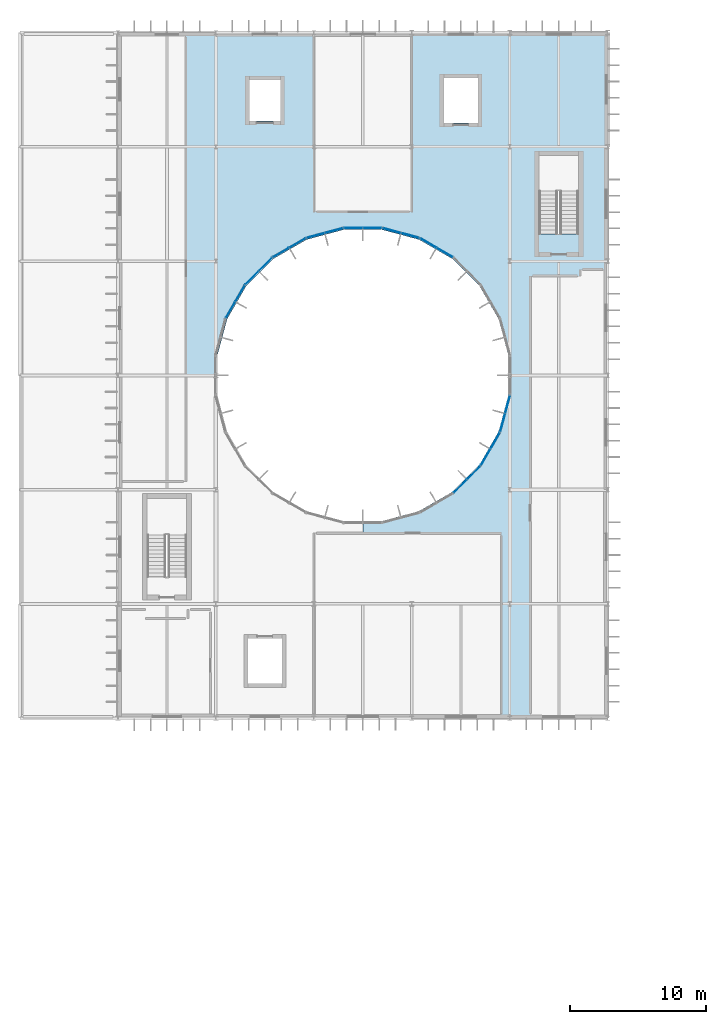
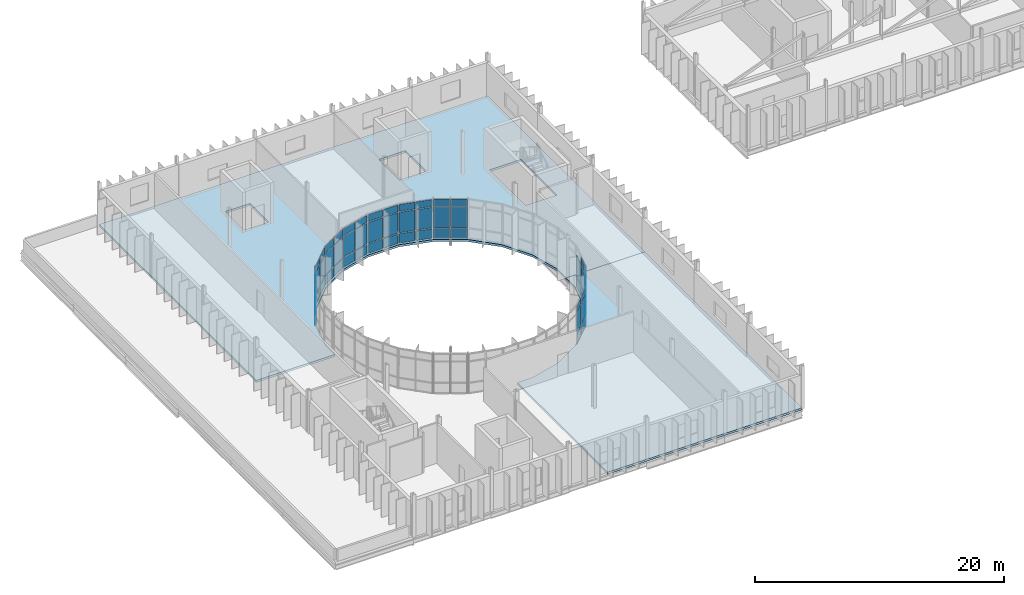
# One storey, part 29 of 52: 59 plates, 2 slabs, 10 elements without a shape of their own.
"""IFC4 building model written with IfcOpenShell, lengths in metres."""

from ifc_helpers import new_model, si_unit, direction, frame, origin, origin_2d, place, context, subcontext, project, spatial, polyline, rectangle, outline, extrude, material, layer, layer_set, type_object, element, aggregate, save


model = new_model("IFC4")

# Units and contexts
model_context = context("Model", 3, precision=1e-05, world=origin(), true_north=direction((0.0, 1.0)))
body_context = subcontext(model_context, "Body", "Model", "MODEL_VIEW")
ifc_project = project(units=[si_unit("LENGTHUNIT", "METRE"), si_unit("AREAUNIT", "SQUARE_METRE"), si_unit("VOLUMEUNIT", "CUBIC_METRE"), si_unit("PLANEANGLEUNIT", "RADIAN"), si_unit("MASSUNIT", "GRAM", prefix="KILO")], contexts=[model_context])

# Site, building, storey
site_placement = place(None, origin())
site = spatial("IfcSite", under=ifc_project, at=site_placement, CompositionType="ELEMENT")
building_placement = place(site_placement, origin())
building = spatial("IfcBuilding", under=site, at=building_placement, Name="Qelthora Terrace Specialist Clinic", CompositionType="ELEMENT")
storey_placement = place(building_placement, frame((0.0, 0.0, 17.39990234375)))
storey = spatial("IfcBuildingStorey", under=building, at=storey_placement, Name="L04", CompositionType="ELEMENT", Elevation=17.39990234375)

# Curtain wall, plates
ifc_material_1 = material(Name="Aluminium anodized bronze", Category="aluminium")
curtain_wall_type = type_object("IfcCurtainWallType", Name="CW-CRTW-UPP", PredefinedType="NOTDEFINED", material=ifc_material_1)
curtain_wall_1_placement = place(storey_placement, origin())
curtain_wall_1 = element("IfcCurtainWall", 1, at=curtain_wall_1_placement, inside=storey, type_object=curtain_wall_type, Name="Curtain wall CW-CW-L04-04", PredefinedType="NOTDEFINED")
ifc_material_2 = material(Name="Low-E triple-silver insulating glass", Category="glass")
ifc_layer_1 = layer(ifc_material_2, 0.035888671875)
ifc_layer_set_1 = layer_set([ifc_layer_1], Name="Low-E triple-silver insulating glass")
plate_type = type_object("IfcPlateType", Name="CWP-IGU-36", PredefinedType="CURTAIN_PANEL", material=ifc_layer_set_1)
plate_1_placement = place(storey_placement, frame((31.22412109375, 93.024658203125, 0.085205078125), z_axis=(0.0, 0.0, 1.0), x_axis=(-0.866025403784, 0.5, 0.0)))
plate_1 = element("IfcPlate", 2, at=plate_1_placement, type_object=plate_type, Name="CW-CW-L04-04 glazed panel 1", PredefinedType="CURTAIN_PANEL", context=body_context, shape_type="SweptSolid", body=[
    extrude(rectangle(XDim=1.3095703125, YDim=0.035888671875, at=origin_2d()), origin(), (0.0, 0.0, 1.0), 0.919921875),
])
plate_2_placement = place(storey_placement, frame((31.22412109375, 93.024658203125, 1.09521484375), z_axis=(0.0, 0.0, 1.0), x_axis=(-0.866025403784, 0.5, 0.0)))
plate_2 = element("IfcPlate", 3, at=plate_2_placement, type_object=plate_type, Name="CW-CW-L04-04 glazed panel 2", PredefinedType="CURTAIN_PANEL", context=body_context, shape_type="SweptSolid", body=[
    extrude(rectangle(XDim=1.3095703125, YDim=0.035888671875, at=origin_2d()), origin(), (0.0, 0.0, 1.0), 2.0048828125),
])
plate_3_placement = place(storey_placement, frame((31.22412109375, 93.024658203125, 3.190185546875), z_axis=(0.0, 0.0, 1.0), x_axis=(-0.866025403784, 0.5, 0.0)))
plate_3 = element("IfcPlate", 4, at=plate_3_placement, type_object=plate_type, Name="CW-CW-L04-04 glazed panel 3", PredefinedType="CURTAIN_PANEL", context=body_context, shape_type="SweptSolid", body=[
    extrude(rectangle(XDim=1.3095703125, YDim=0.035888671875, at=origin_2d()), origin(), (0.0, 0.0, 1.0), 0.669921875),
])
plate_4_placement = place(storey_placement, frame((30.00341796875, 93.7294921875, 0.085205078125), z_axis=(0.0, 0.0, 1.0), x_axis=(-0.866025403784, 0.5, 0.0)))
plate_4 = element("IfcPlate", 5, at=plate_4_placement, type_object=plate_type, Name="CW-CW-L04-04 glazed panel 4", PredefinedType="CURTAIN_PANEL", context=body_context, shape_type="SweptSolid", body=[
    extrude(rectangle(XDim=1.3095703125, YDim=0.035888671875, at=origin_2d()), origin(), (0.0, 0.0, 1.0), 0.919921875),
])
plate_5_placement = place(storey_placement, frame((30.00341796875, 93.7294921875, 1.09521484375), z_axis=(0.0, 0.0, 1.0), x_axis=(-0.866025403784, 0.5, 0.0)))
plate_5 = element("IfcPlate", 6, at=plate_5_placement, type_object=plate_type, Name="CW-CW-L04-04 glazed panel 5", PredefinedType="CURTAIN_PANEL", context=body_context, shape_type="SweptSolid", body=[
    extrude(rectangle(XDim=1.3095703125, YDim=0.035888671875, at=origin_2d()), origin(), (0.0, 0.0, 1.0), 2.0048828125),
])
plate_6_placement = place(storey_placement, frame((30.00341796875, 93.7294921875, 3.190185546875), z_axis=(0.0, 0.0, 1.0), x_axis=(-0.866025403784, 0.5, 0.0)))
plate_6 = element("IfcPlate", 7, at=plate_6_placement, type_object=plate_type, Name="CW-CW-L04-04 glazed panel 6", PredefinedType="CURTAIN_PANEL", context=body_context, shape_type="SweptSolid", body=[
    extrude(rectangle(XDim=1.3095703125, YDim=0.035888671875, at=origin_2d()), origin(), (0.0, 0.0, 1.0), 0.669921875),
])
aggregate(curtain_wall_1, [plate_1, plate_2, plate_3, plate_4, plate_5, plate_6])

curtain_wall_2_placement = place(storey_placement, origin())
curtain_wall_2 = element("IfcCurtainWall", 8, at=curtain_wall_2_placement, inside=storey, type_object=curtain_wall_type, Name="Curtain wall CW-CW-L04-05", PredefinedType="NOTDEFINED")
plate_7_placement = place(storey_placement, frame((28.68310546875, 94.276123046875, 0.085205078125), z_axis=(0.0, 0.0, 1.0), x_axis=(-0.965925374563, 0.258820730961, 0.0)))
plate_7 = element("IfcPlate", 9, at=plate_7_placement, type_object=plate_type, Name="CW-CW-L04-05 glazed panel 1", PredefinedType="CURTAIN_PANEL", context=body_context, shape_type="SweptSolid", body=[
    extrude(rectangle(XDim=1.3095703125, YDim=0.035888671875, at=origin_2d()), origin(), (0.0, 0.0, 1.0), 0.919921875),
])
plate_8_placement = place(storey_placement, frame((28.68310546875, 94.276123046875, 1.09521484375), z_axis=(0.0, 0.0, 1.0), x_axis=(-0.965925374563, 0.258820730961, 0.0)))
plate_8 = element("IfcPlate", 10, at=plate_8_placement, type_object=plate_type, Name="CW-CW-L04-05 glazed panel 2", PredefinedType="CURTAIN_PANEL", context=body_context, shape_type="SweptSolid", body=[
    extrude(rectangle(XDim=1.3095703125, YDim=0.035888671875, at=origin_2d()), origin(), (0.0, 0.0, 1.0), 2.0048828125),
])
plate_9_placement = place(storey_placement, frame((28.68310546875, 94.276123046875, 3.190185546875), z_axis=(0.0, 0.0, 1.0), x_axis=(-0.965925374563, 0.258820730961, 0.0)))
plate_9 = element("IfcPlate", 11, at=plate_9_placement, type_object=plate_type, Name="CW-CW-L04-05 glazed panel 3", PredefinedType="CURTAIN_PANEL", context=body_context, shape_type="SweptSolid", body=[
    extrude(rectangle(XDim=1.3095703125, YDim=0.035888671875, at=origin_2d()), origin(), (0.0, 0.0, 1.0), 0.669921875),
])
plate_10_placement = place(storey_placement, frame((27.321533203125, 94.64111328125, 0.085205078125), z_axis=(0.0, 0.0, 1.0), x_axis=(-0.965925374563, 0.258820730961, 0.0)))
plate_10 = element("IfcPlate", 12, at=plate_10_placement, type_object=plate_type, Name="CW-CW-L04-05 glazed panel 4", PredefinedType="CURTAIN_PANEL", context=body_context, shape_type="SweptSolid", body=[
    extrude(rectangle(XDim=1.3095703125, YDim=0.035888671875, at=origin_2d()), origin(), (0.0, 0.0, 1.0), 0.919921875),
])
plate_11_placement = place(storey_placement, frame((27.321533203125, 94.64111328125, 1.09521484375), z_axis=(0.0, 0.0, 1.0), x_axis=(-0.965925374563, 0.258820730961, 0.0)))
plate_11 = element("IfcPlate", 13, at=plate_11_placement, type_object=plate_type, Name="CW-CW-L04-05 glazed panel 5", PredefinedType="CURTAIN_PANEL", context=body_context, shape_type="SweptSolid", body=[
    extrude(rectangle(XDim=1.3095703125, YDim=0.035888671875, at=origin_2d()), origin(), (0.0, 0.0, 1.0), 2.0048828125),
])
plate_12_placement = place(storey_placement, frame((27.321533203125, 94.64111328125, 3.190185546875), z_axis=(0.0, 0.0, 1.0), x_axis=(-0.965925374563, 0.258820730961, 0.0)))
plate_12 = element("IfcPlate", 14, at=plate_12_placement, type_object=plate_type, Name="CW-CW-L04-05 glazed panel 6", PredefinedType="CURTAIN_PANEL", context=body_context, shape_type="SweptSolid", body=[
    extrude(rectangle(XDim=1.3095703125, YDim=0.035888671875, at=origin_2d()), origin(), (0.0, 0.0, 1.0), 0.669921875),
])
aggregate(curtain_wall_2, [plate_7, plate_8, plate_9, plate_10, plate_11, plate_12])

curtain_wall_3_placement = place(storey_placement, origin())
curtain_wall_3 = element("IfcCurtainWall", 15, at=curtain_wall_3_placement, inside=storey, type_object=curtain_wall_type, Name="Curtain wall CW-CW-L04-06", PredefinedType="NOTDEFINED")
plate_13_placement = place(storey_placement, frame((25.90478515625, 94.82763671875, 0.085205078125), z_axis=(0.0, 0.0, 1.0), x_axis=(-1.0, 0.0, 0.0)))
plate_13 = element("IfcPlate", 16, at=plate_13_placement, type_object=plate_type, Name="CW-CW-L04-06 glazed panel 1", PredefinedType="CURTAIN_PANEL", context=body_context, shape_type="SweptSolid", body=[
    extrude(rectangle(XDim=1.3095703125, YDim=0.035888671875, at=origin_2d()), origin(), (0.0, 0.0, 1.0), 0.919921875),
])
plate_14_placement = place(storey_placement, frame((25.90478515625, 94.82763671875, 1.09521484375), z_axis=(0.0, 0.0, 1.0), x_axis=(-1.0, 0.0, 0.0)))
plate_14 = element("IfcPlate", 17, at=plate_14_placement, type_object=plate_type, Name="CW-CW-L04-06 glazed panel 2", PredefinedType="CURTAIN_PANEL", context=body_context, shape_type="SweptSolid", body=[
    extrude(rectangle(XDim=1.3095703125, YDim=0.035888671875, at=origin_2d()), origin(), (0.0, 0.0, 1.0), 2.0048828125),
])
plate_15_placement = place(storey_placement, frame((25.90478515625, 94.82763671875, 3.190185546875), z_axis=(0.0, 0.0, 1.0), x_axis=(-1.0, 0.0, 0.0)))
plate_15 = element("IfcPlate", 18, at=plate_15_placement, type_object=plate_type, Name="CW-CW-L04-06 glazed panel 3", PredefinedType="CURTAIN_PANEL", context=body_context, shape_type="SweptSolid", body=[
    extrude(rectangle(XDim=1.3095703125, YDim=0.035888671875, at=origin_2d()), origin(), (0.0, 0.0, 1.0), 0.669921875),
])
plate_16_placement = place(storey_placement, frame((24.4951171875, 94.82763671875, 0.085205078125), z_axis=(0.0, 0.0, 1.0), x_axis=(-1.0, 0.0, 0.0)))
plate_16 = element("IfcPlate", 19, at=plate_16_placement, type_object=plate_type, Name="CW-CW-L04-06 glazed panel 4", PredefinedType="CURTAIN_PANEL", context=body_context, shape_type="SweptSolid", body=[
    extrude(rectangle(XDim=1.3095703125, YDim=0.035888671875, at=origin_2d()), origin(), (0.0, 0.0, 1.0), 0.919921875),
])
plate_17_placement = place(storey_placement, frame((24.4951171875, 94.82763671875, 1.09521484375), z_axis=(0.0, 0.0, 1.0), x_axis=(-1.0, 0.0, 0.0)))
plate_17 = element("IfcPlate", 20, at=plate_17_placement, type_object=plate_type, Name="CW-CW-L04-06 glazed panel 5", PredefinedType="CURTAIN_PANEL", context=body_context, shape_type="SweptSolid", body=[
    extrude(rectangle(XDim=1.3095703125, YDim=0.035888671875, at=origin_2d()), origin(), (0.0, 0.0, 1.0), 2.0048828125),
])
plate_18_placement = place(storey_placement, frame((24.4951171875, 94.82763671875, 3.190185546875), z_axis=(0.0, 0.0, 1.0), x_axis=(-1.0, 0.0, 0.0)))
plate_18 = element("IfcPlate", 21, at=plate_18_placement, type_object=plate_type, Name="CW-CW-L04-06 glazed panel 6", PredefinedType="CURTAIN_PANEL", context=body_context, shape_type="SweptSolid", body=[
    extrude(rectangle(XDim=1.3095703125, YDim=0.035888671875, at=origin_2d()), origin(), (0.0, 0.0, 1.0), 0.669921875),
])
aggregate(curtain_wall_3, [plate_13, plate_14, plate_15, plate_16, plate_17, plate_18])

curtain_wall_4_placement = place(storey_placement, origin())
curtain_wall_4 = element("IfcCurtainWall", 22, at=curtain_wall_4_placement, inside=storey, type_object=curtain_wall_type, Name="Curtain wall CW-CW-L04-07", PredefinedType="NOTDEFINED")
plate_19_placement = place(storey_placement, frame((23.078369140625, 94.64111328125, 0.085205078125), z_axis=(0.0, 0.0, 1.0), x_axis=(-0.965925374563, -0.258820730961, 0.0)))
plate_19 = element("IfcPlate", 23, at=plate_19_placement, type_object=plate_type, Name="CW-CW-L04-07 glazed panel 1", PredefinedType="CURTAIN_PANEL", context=body_context, shape_type="SweptSolid", body=[
    extrude(rectangle(XDim=1.3095703125, YDim=0.035888671875, at=origin_2d()), origin(), (0.0, 0.0, 1.0), 0.919921875),
])
plate_20_placement = place(storey_placement, frame((23.078369140625, 94.64111328125, 1.09521484375), z_axis=(0.0, 0.0, 1.0), x_axis=(-0.965925374563, -0.258820730961, 0.0)))
plate_20 = element("IfcPlate", 24, at=plate_20_placement, type_object=plate_type, Name="CW-CW-L04-07 glazed panel 2", PredefinedType="CURTAIN_PANEL", context=body_context, shape_type="SweptSolid", body=[
    extrude(rectangle(XDim=1.3095703125, YDim=0.035888671875, at=origin_2d()), origin(), (0.0, 0.0, 1.0), 2.0048828125),
])
plate_21_placement = place(storey_placement, frame((23.078369140625, 94.64111328125, 3.190185546875), z_axis=(0.0, 0.0, 1.0), x_axis=(-0.965925374563, -0.258820730961, 0.0)))
plate_21 = element("IfcPlate", 25, at=plate_21_placement, type_object=plate_type, Name="CW-CW-L04-07 glazed panel 3", PredefinedType="CURTAIN_PANEL", context=body_context, shape_type="SweptSolid", body=[
    extrude(rectangle(XDim=1.3095703125, YDim=0.035888671875, at=origin_2d()), origin(), (0.0, 0.0, 1.0), 0.669921875),
])
plate_22_placement = place(storey_placement, frame((21.716796875, 94.276123046875, 0.085205078125), z_axis=(0.0, 0.0, 1.0), x_axis=(-0.965925374563, -0.258820730961, 0.0)))
plate_22 = element("IfcPlate", 26, at=plate_22_placement, type_object=plate_type, Name="CW-CW-L04-07 glazed panel 4", PredefinedType="CURTAIN_PANEL", context=body_context, shape_type="SweptSolid", body=[
    extrude(rectangle(XDim=1.3095703125, YDim=0.035888671875, at=origin_2d()), origin(), (0.0, 0.0, 1.0), 0.919921875),
])
plate_23_placement = place(storey_placement, frame((21.716796875, 94.276123046875, 1.09521484375), z_axis=(0.0, 0.0, 1.0), x_axis=(-0.965925374563, -0.258820730961, 0.0)))
plate_23 = element("IfcPlate", 27, at=plate_23_placement, type_object=plate_type, Name="CW-CW-L04-07 glazed panel 5", PredefinedType="CURTAIN_PANEL", context=body_context, shape_type="SweptSolid", body=[
    extrude(rectangle(XDim=1.3095703125, YDim=0.035888671875, at=origin_2d()), origin(), (0.0, 0.0, 1.0), 2.0048828125),
])
plate_24_placement = place(storey_placement, frame((21.716796875, 94.276123046875, 3.190185546875), z_axis=(0.0, 0.0, 1.0), x_axis=(-0.965925374563, -0.258820730961, 0.0)))
plate_24 = element("IfcPlate", 28, at=plate_24_placement, type_object=plate_type, Name="CW-CW-L04-07 glazed panel 6", PredefinedType="CURTAIN_PANEL", context=body_context, shape_type="SweptSolid", body=[
    extrude(rectangle(XDim=1.3095703125, YDim=0.035888671875, at=origin_2d()), origin(), (0.0, 0.0, 1.0), 0.669921875),
])
aggregate(curtain_wall_4, [plate_19, plate_20, plate_21, plate_22, plate_23, plate_24])

curtain_wall_5_placement = place(storey_placement, origin())
curtain_wall_5 = element("IfcCurtainWall", 29, at=curtain_wall_5_placement, inside=storey, type_object=curtain_wall_type, Name="Curtain wall CW-CW-L04-08", PredefinedType="NOTDEFINED")
plate_25_placement = place(storey_placement, frame((20.396728515625, 93.7294921875, 0.085205078125), z_axis=(0.0, 0.0, 1.0), x_axis=(-0.866025403784, -0.5, 0.0)))
plate_25 = element("IfcPlate", 30, at=plate_25_placement, type_object=plate_type, Name="CW-CW-L04-08 glazed panel 1", PredefinedType="CURTAIN_PANEL", context=body_context, shape_type="SweptSolid", body=[
    extrude(rectangle(XDim=1.3095703125, YDim=0.035888671875, at=origin_2d()), origin(), (0.0, 0.0, 1.0), 0.919921875),
])
plate_26_placement = place(storey_placement, frame((20.396728515625, 93.7294921875, 1.09521484375), z_axis=(0.0, 0.0, 1.0), x_axis=(-0.866025403784, -0.5, 0.0)))
plate_26 = element("IfcPlate", 31, at=plate_26_placement, type_object=plate_type, Name="CW-CW-L04-08 glazed panel 2", PredefinedType="CURTAIN_PANEL", context=body_context, shape_type="SweptSolid", body=[
    extrude(rectangle(XDim=1.3095703125, YDim=0.035888671875, at=origin_2d()), origin(), (0.0, 0.0, 1.0), 2.0048828125),
])
plate_27_placement = place(storey_placement, frame((20.396728515625, 93.7294921875, 3.190185546875), z_axis=(0.0, 0.0, 1.0), x_axis=(-0.866025403784, -0.5, 0.0)))
plate_27 = element("IfcPlate", 32, at=plate_27_placement, type_object=plate_type, Name="CW-CW-L04-08 glazed panel 3", PredefinedType="CURTAIN_PANEL", context=body_context, shape_type="SweptSolid", body=[
    extrude(rectangle(XDim=1.3095703125, YDim=0.035888671875, at=origin_2d()), origin(), (0.0, 0.0, 1.0), 0.669921875),
])
plate_28_placement = place(storey_placement, frame((19.17578125, 93.024658203125, 0.085205078125), z_axis=(0.0, 0.0, 1.0), x_axis=(-0.866025403784, -0.5, 0.0)))
plate_28 = element("IfcPlate", 33, at=plate_28_placement, type_object=plate_type, Name="CW-CW-L04-08 glazed panel 4", PredefinedType="CURTAIN_PANEL", context=body_context, shape_type="SweptSolid", body=[
    extrude(rectangle(XDim=1.3095703125, YDim=0.035888671875, at=origin_2d()), origin(), (0.0, 0.0, 1.0), 0.919921875),
])
plate_29_placement = place(storey_placement, frame((19.17578125, 93.024658203125, 1.09521484375), z_axis=(0.0, 0.0, 1.0), x_axis=(-0.866025403784, -0.5, 0.0)))
plate_29 = element("IfcPlate", 34, at=plate_29_placement, type_object=plate_type, Name="CW-CW-L04-08 glazed panel 5", PredefinedType="CURTAIN_PANEL", context=body_context, shape_type="SweptSolid", body=[
    extrude(rectangle(XDim=1.3095703125, YDim=0.035888671875, at=origin_2d()), origin(), (0.0, 0.0, 1.0), 2.0048828125),
])
plate_30_placement = place(storey_placement, frame((19.17578125, 93.024658203125, 3.190185546875), z_axis=(0.0, 0.0, 1.0), x_axis=(-0.866025403784, -0.5, 0.0)))
plate_30 = element("IfcPlate", 35, at=plate_30_placement, type_object=plate_type, Name="CW-CW-L04-08 glazed panel 6", PredefinedType="CURTAIN_PANEL", context=body_context, shape_type="SweptSolid", body=[
    extrude(rectangle(XDim=1.3095703125, YDim=0.035888671875, at=origin_2d()), origin(), (0.0, 0.0, 1.0), 0.669921875),
])
aggregate(curtain_wall_5, [plate_25, plate_26, plate_27, plate_28, plate_29, plate_30])

curtain_wall_6_placement = place(storey_placement, origin())
curtain_wall_6 = element("IfcCurtainWall", 36, at=curtain_wall_6_placement, inside=storey, type_object=curtain_wall_type, Name="Curtain wall CW-CW-L04-09", PredefinedType="NOTDEFINED")
plate_31_placement = place(storey_placement, frame((18.042236328125, 92.15478515625, 0.085205078125), z_axis=(0.0, 0.0, 1.0), x_axis=(-0.707106781187, -0.707106781187, 0.0)))
plate_31 = element("IfcPlate", 37, at=plate_31_placement, type_object=plate_type, Name="CW-CW-L04-09 glazed panel 1", PredefinedType="CURTAIN_PANEL", context=body_context, shape_type="SweptSolid", body=[
    extrude(rectangle(XDim=1.3095703125, YDim=0.035888671875, at=origin_2d()), origin(), (0.0, 0.0, 1.0), 0.919921875),
])
plate_32_placement = place(storey_placement, frame((18.042236328125, 92.15478515625, 1.09521484375), z_axis=(0.0, 0.0, 1.0), x_axis=(-0.707106781187, -0.707106781187, 0.0)))
plate_32 = element("IfcPlate", 38, at=plate_32_placement, type_object=plate_type, Name="CW-CW-L04-09 glazed panel 2", PredefinedType="CURTAIN_PANEL", context=body_context, shape_type="SweptSolid", body=[
    extrude(rectangle(XDim=1.3095703125, YDim=0.035888671875, at=origin_2d()), origin(), (0.0, 0.0, 1.0), 2.0048828125),
])
plate_33_placement = place(storey_placement, frame((18.042236328125, 92.15478515625, 3.190185546875), z_axis=(0.0, 0.0, 1.0), x_axis=(-0.707106781187, -0.707106781187, 0.0)))
plate_33 = element("IfcPlate", 39, at=plate_33_placement, type_object=plate_type, Name="CW-CW-L04-09 glazed panel 3", PredefinedType="CURTAIN_PANEL", context=body_context, shape_type="SweptSolid", body=[
    extrude(rectangle(XDim=1.3095703125, YDim=0.035888671875, at=origin_2d()), origin(), (0.0, 0.0, 1.0), 0.669921875),
])
plate_34_placement = place(storey_placement, frame((17.04541015625, 91.157958984375, 0.085205078125), z_axis=(0.0, 0.0, 1.0), x_axis=(-0.707106781187, -0.707106781187, 0.0)))
plate_34 = element("IfcPlate", 40, at=plate_34_placement, type_object=plate_type, Name="CW-CW-L04-09 glazed panel 4", PredefinedType="CURTAIN_PANEL", context=body_context, shape_type="SweptSolid", body=[
    extrude(rectangle(XDim=1.3095703125, YDim=0.035888671875, at=origin_2d()), origin(), (0.0, 0.0, 1.0), 0.919921875),
])
plate_35_placement = place(storey_placement, frame((17.04541015625, 91.157958984375, 1.09521484375), z_axis=(0.0, 0.0, 1.0), x_axis=(-0.707106781187, -0.707106781187, 0.0)))
plate_35 = element("IfcPlate", 41, at=plate_35_placement, type_object=plate_type, Name="CW-CW-L04-09 glazed panel 5", PredefinedType="CURTAIN_PANEL", context=body_context, shape_type="SweptSolid", body=[
    extrude(rectangle(XDim=1.3095703125, YDim=0.035888671875, at=origin_2d()), origin(), (0.0, 0.0, 1.0), 2.0048828125),
])
plate_36_placement = place(storey_placement, frame((17.04541015625, 91.157958984375, 3.190185546875), z_axis=(0.0, 0.0, 1.0), x_axis=(-0.707106781187, -0.707106781187, 0.0)))
plate_36 = element("IfcPlate", 42, at=plate_36_placement, type_object=plate_type, Name="CW-CW-L04-09 glazed panel 6", PredefinedType="CURTAIN_PANEL", context=body_context, shape_type="SweptSolid", body=[
    extrude(rectangle(XDim=1.3095703125, YDim=0.035888671875, at=origin_2d()), origin(), (0.0, 0.0, 1.0), 0.669921875),
])
aggregate(curtain_wall_6, [plate_31, plate_32, plate_33, plate_34, plate_35, plate_36])

curtain_wall_7_placement = place(storey_placement, origin())
curtain_wall_7 = element("IfcCurtainWall", 43, at=curtain_wall_7_placement, inside=storey, type_object=curtain_wall_type, Name="Curtain wall CW-CW-L04-10", PredefinedType="NOTDEFINED")
plate_37_placement = place(storey_placement, frame((16.175537109375, 90.024169921875, 0.085205078125), z_axis=(0.0, 0.0, 1.0), x_axis=(-0.5, -0.866025403784, 0.0)))
plate_37 = element("IfcPlate", 44, at=plate_37_placement, type_object=plate_type, Name="CW-CW-L04-10 glazed panel 1", PredefinedType="CURTAIN_PANEL", context=body_context, shape_type="SweptSolid", body=[
    extrude(rectangle(XDim=1.3095703125, YDim=0.035888671875, at=origin_2d()), origin(), (0.0, 0.0, 1.0), 0.919921875),
])
plate_38_placement = place(storey_placement, frame((16.175537109375, 90.024169921875, 1.09521484375), z_axis=(0.0, 0.0, 1.0), x_axis=(-0.5, -0.866025403784, 0.0)))
plate_38 = element("IfcPlate", 45, at=plate_38_placement, type_object=plate_type, Name="CW-CW-L04-10 glazed panel 2", PredefinedType="CURTAIN_PANEL", context=body_context, shape_type="SweptSolid", body=[
    extrude(rectangle(XDim=1.3095703125, YDim=0.035888671875, at=origin_2d()), origin(), (0.0, 0.0, 1.0), 2.0048828125),
])
plate_39_placement = place(storey_placement, frame((16.175537109375, 90.024169921875, 3.190185546875), z_axis=(0.0, 0.0, 1.0), x_axis=(-0.5, -0.866025403784, 0.0)))
plate_39 = element("IfcPlate", 46, at=plate_39_placement, type_object=plate_type, Name="CW-CW-L04-10 glazed panel 3", PredefinedType="CURTAIN_PANEL", context=body_context, shape_type="SweptSolid", body=[
    extrude(rectangle(XDim=1.3095703125, YDim=0.035888671875, at=origin_2d()), origin(), (0.0, 0.0, 1.0), 0.669921875),
])
plate_40_placement = place(storey_placement, frame((15.470703125, 88.803466796875, 0.085205078125), z_axis=(0.0, 0.0, 1.0), x_axis=(-0.5, -0.866025403784, 0.0)))
plate_40 = element("IfcPlate", 47, at=plate_40_placement, type_object=plate_type, Name="CW-CW-L04-10 glazed panel 4", PredefinedType="CURTAIN_PANEL", context=body_context, shape_type="SweptSolid", body=[
    extrude(rectangle(XDim=1.3095703125, YDim=0.035888671875, at=origin_2d()), origin(), (0.0, 0.0, 1.0), 0.919921875),
])
plate_41_placement = place(storey_placement, frame((15.470703125, 88.803466796875, 1.09521484375), z_axis=(0.0, 0.0, 1.0), x_axis=(-0.5, -0.866025403784, 0.0)))
plate_41 = element("IfcPlate", 48, at=plate_41_placement, type_object=plate_type, Name="CW-CW-L04-10 glazed panel 5", PredefinedType="CURTAIN_PANEL", context=body_context, shape_type="SweptSolid", body=[
    extrude(rectangle(XDim=1.3095703125, YDim=0.035888671875, at=origin_2d()), origin(), (0.0, 0.0, 1.0), 2.0048828125),
])
plate_42_placement = place(storey_placement, frame((15.470703125, 88.803466796875, 3.190185546875), z_axis=(0.0, 0.0, 1.0), x_axis=(-0.5, -0.866025403784, 0.0)))
plate_42 = element("IfcPlate", 49, at=plate_42_placement, type_object=plate_type, Name="CW-CW-L04-10 glazed panel 6", PredefinedType="CURTAIN_PANEL", context=body_context, shape_type="SweptSolid", body=[
    extrude(rectangle(XDim=1.3095703125, YDim=0.035888671875, at=origin_2d()), origin(), (0.0, 0.0, 1.0), 0.669921875),
])
aggregate(curtain_wall_7, [plate_37, plate_38, plate_39, plate_40, plate_41, plate_42])

curtain_wall_8_placement = place(storey_placement, origin())
curtain_wall_8 = element("IfcCurtainWall", 50, at=curtain_wall_8_placement, inside=storey, type_object=curtain_wall_type, Name="Curtain wall CW-CW-L04-21", PredefinedType="NOTDEFINED")
plate_43_placement = place(storey_placement, frame((32.35791015625, 75.84521484375, 0.085205078125), z_axis=(0.0, 0.0, 1.0), x_axis=(0.707106781187, 0.707106781187, 0.0)))
plate_43 = element("IfcPlate", 51, at=plate_43_placement, type_object=plate_type, Name="CW-CW-L04-21 glazed panel 1", PredefinedType="CURTAIN_PANEL", context=body_context, shape_type="SweptSolid", body=[
    extrude(rectangle(XDim=1.3095703125, YDim=0.035888671875, at=origin_2d()), origin(), (0.0, 0.0, 1.0), 0.919921875),
])
plate_44_placement = place(storey_placement, frame((32.35791015625, 75.84521484375, 1.09521484375), z_axis=(0.0, 0.0, 1.0), x_axis=(0.707106781187, 0.707106781187, 0.0)))
plate_44 = element("IfcPlate", 52, at=plate_44_placement, type_object=plate_type, Name="CW-CW-L04-21 glazed panel 2", PredefinedType="CURTAIN_PANEL", context=body_context, shape_type="SweptSolid", body=[
    extrude(rectangle(XDim=1.3095703125, YDim=0.035888671875, at=origin_2d()), origin(), (0.0, 0.0, 1.0), 2.0048828125),
])
plate_45_placement = place(storey_placement, frame((32.35791015625, 75.84521484375, 3.190185546875), z_axis=(0.0, 0.0, 1.0), x_axis=(0.707106781187, 0.707106781187, 0.0)))
plate_45 = element("IfcPlate", 53, at=plate_45_placement, type_object=plate_type, Name="CW-CW-L04-21 glazed panel 3", PredefinedType="CURTAIN_PANEL", context=body_context, shape_type="SweptSolid", body=[
    extrude(rectangle(XDim=1.3095703125, YDim=0.035888671875, at=origin_2d()), origin(), (0.0, 0.0, 1.0), 0.669921875),
])
plate_46_placement = place(storey_placement, frame((33.354736328125, 76.842041015625, 0.085205078125), z_axis=(0.0, 0.0, 1.0), x_axis=(0.707106781187, 0.707106781187, 0.0)))
plate_46 = element("IfcPlate", 54, at=plate_46_placement, type_object=plate_type, Name="CW-CW-L04-21 glazed panel 4", PredefinedType="CURTAIN_PANEL", context=body_context, shape_type="SweptSolid", body=[
    extrude(rectangle(XDim=1.3095703125, YDim=0.035888671875, at=origin_2d()), origin(), (0.0, 0.0, 1.0), 0.919921875),
])
plate_47_placement = place(storey_placement, frame((33.354736328125, 76.842041015625, 1.09521484375), z_axis=(0.0, 0.0, 1.0), x_axis=(0.707106781187, 0.707106781187, 0.0)))
plate_47 = element("IfcPlate", 55, at=plate_47_placement, type_object=plate_type, Name="CW-CW-L04-21 glazed panel 5", PredefinedType="CURTAIN_PANEL", context=body_context, shape_type="SweptSolid", body=[
    extrude(rectangle(XDim=1.3095703125, YDim=0.035888671875, at=origin_2d()), origin(), (0.0, 0.0, 1.0), 2.0048828125),
])
plate_48_placement = place(storey_placement, frame((33.354736328125, 76.842041015625, 3.190185546875), z_axis=(0.0, 0.0, 1.0), x_axis=(0.707106781187, 0.707106781187, 0.0)))
plate_48 = element("IfcPlate", 56, at=plate_48_placement, type_object=plate_type, Name="CW-CW-L04-21 glazed panel 6", PredefinedType="CURTAIN_PANEL", context=body_context, shape_type="SweptSolid", body=[
    extrude(rectangle(XDim=1.3095703125, YDim=0.035888671875, at=origin_2d()), origin(), (0.0, 0.0, 1.0), 0.669921875),
])
aggregate(curtain_wall_8, [plate_43, plate_44, plate_45, plate_46, plate_47, plate_48])

curtain_wall_9_placement = place(storey_placement, origin())
curtain_wall_9 = element("IfcCurtainWall", 57, at=curtain_wall_9_placement, inside=storey, type_object=curtain_wall_type, Name="Curtain wall CW-CW-L04-22", PredefinedType="NOTDEFINED")
plate_49_placement = place(storey_placement, frame((34.224609375, 77.975830078125, 0.085205078125), z_axis=(0.0, 0.0, 1.0), x_axis=(0.5, 0.866025403784, 0.0)))
plate_49 = element("IfcPlate", 58, at=plate_49_placement, type_object=plate_type, Name="CW-CW-L04-22 glazed panel 1", PredefinedType="CURTAIN_PANEL", context=body_context, shape_type="SweptSolid", body=[
    extrude(rectangle(XDim=1.3095703125, YDim=0.035888671875, at=origin_2d()), origin(), (0.0, 0.0, 1.0), 0.919921875),
])
plate_50_placement = place(storey_placement, frame((34.224609375, 77.975830078125, 1.09521484375), z_axis=(0.0, 0.0, 1.0), x_axis=(0.5, 0.866025403784, 0.0)))
plate_50 = element("IfcPlate", 59, at=plate_50_placement, type_object=plate_type, Name="CW-CW-L04-22 glazed panel 2", PredefinedType="CURTAIN_PANEL", context=body_context, shape_type="SweptSolid", body=[
    extrude(rectangle(XDim=1.3095703125, YDim=0.035888671875, at=origin_2d()), origin(), (0.0, 0.0, 1.0), 2.0048828125),
])
plate_51_placement = place(storey_placement, frame((34.224609375, 77.975830078125, 3.190185546875), z_axis=(0.0, 0.0, 1.0), x_axis=(0.5, 0.866025403784, 0.0)))
plate_51 = element("IfcPlate", 60, at=plate_51_placement, type_object=plate_type, Name="CW-CW-L04-22 glazed panel 3", PredefinedType="CURTAIN_PANEL", context=body_context, shape_type="SweptSolid", body=[
    extrude(rectangle(XDim=1.3095703125, YDim=0.035888671875, at=origin_2d()), origin(), (0.0, 0.0, 1.0), 0.669921875),
])
plate_52_placement = place(storey_placement, frame((34.929443359375, 79.196533203125, 0.085205078125), z_axis=(0.0, 0.0, 1.0), x_axis=(0.5, 0.866025403784, 0.0)))
plate_52 = element("IfcPlate", 61, at=plate_52_placement, type_object=plate_type, Name="CW-CW-L04-22 glazed panel 4", PredefinedType="CURTAIN_PANEL", context=body_context, shape_type="SweptSolid", body=[
    extrude(rectangle(XDim=1.3095703125, YDim=0.035888671875, at=origin_2d()), origin(), (0.0, 0.0, 1.0), 0.919921875),
])
plate_53_placement = place(storey_placement, frame((34.929443359375, 79.196533203125, 1.09521484375), z_axis=(0.0, 0.0, 1.0), x_axis=(0.5, 0.866025403784, 0.0)))
plate_53 = element("IfcPlate", 62, at=plate_53_placement, type_object=plate_type, Name="CW-CW-L04-22 glazed panel 5", PredefinedType="CURTAIN_PANEL", context=body_context, shape_type="SweptSolid", body=[
    extrude(rectangle(XDim=1.3095703125, YDim=0.035888671875, at=origin_2d()), origin(), (0.0, 0.0, 1.0), 2.0048828125),
])
plate_54_placement = place(storey_placement, frame((34.929443359375, 79.196533203125, 3.190185546875), z_axis=(0.0, 0.0, 1.0), x_axis=(0.5, 0.866025403784, 0.0)))
plate_54 = element("IfcPlate", 63, at=plate_54_placement, type_object=plate_type, Name="CW-CW-L04-22 glazed panel 6", PredefinedType="CURTAIN_PANEL", context=body_context, shape_type="SweptSolid", body=[
    extrude(rectangle(XDim=1.3095703125, YDim=0.035888671875, at=origin_2d()), origin(), (0.0, 0.0, 1.0), 0.669921875),
])
aggregate(curtain_wall_9, [plate_49, plate_50, plate_51, plate_52, plate_53, plate_54])

curtain_wall_10_placement = place(storey_placement, origin())
curtain_wall_10 = element("IfcCurtainWall", 64, at=curtain_wall_10_placement, inside=storey, type_object=curtain_wall_type, Name="Curtain wall CW-CW-L04-23", PredefinedType="NOTDEFINED")
plate_55_placement = place(storey_placement, frame((35.476318359375, 80.516845703125, 0.085205078125), z_axis=(0.0, 0.0, 1.0), x_axis=(0.258820730961, 0.965925374563, 0.0)))
plate_55 = element("IfcPlate", 65, at=plate_55_placement, type_object=plate_type, Name="CW-CW-L04-23 glazed panel 1", PredefinedType="CURTAIN_PANEL", context=body_context, shape_type="SweptSolid", body=[
    extrude(rectangle(XDim=1.3095703125, YDim=0.035888671875, at=origin_2d()), origin(), (0.0, 0.0, 1.0), 0.919921875),
])
plate_56_placement = place(storey_placement, frame((35.476318359375, 80.516845703125, 1.09521484375), z_axis=(0.0, 0.0, 1.0), x_axis=(0.258820730961, 0.965925374563, 0.0)))
plate_56 = element("IfcPlate", 66, at=plate_56_placement, type_object=plate_type, Name="CW-CW-L04-23 glazed panel 2", PredefinedType="CURTAIN_PANEL", context=body_context, shape_type="SweptSolid", body=[
    extrude(rectangle(XDim=1.3095703125, YDim=0.035888671875, at=origin_2d()), origin(), (0.0, 0.0, 1.0), 2.0048828125),
])
plate_57_placement = place(storey_placement, frame((35.476318359375, 80.516845703125, 3.190185546875), z_axis=(0.0, 0.0, 1.0), x_axis=(0.258820730961, 0.965925374563, 0.0)))
plate_57 = element("IfcPlate", 67, at=plate_57_placement, type_object=plate_type, Name="CW-CW-L04-23 glazed panel 3", PredefinedType="CURTAIN_PANEL", context=body_context, shape_type="SweptSolid", body=[
    extrude(rectangle(XDim=1.3095703125, YDim=0.035888671875, at=origin_2d()), origin(), (0.0, 0.0, 1.0), 0.669921875),
])
plate_58_placement = place(storey_placement, frame((35.841064453125, 81.87841796875, 0.085205078125), z_axis=(0.0, 0.0, 1.0), x_axis=(0.258820730961, 0.965925374563, 0.0)))
plate_58 = element("IfcPlate", 68, at=plate_58_placement, type_object=plate_type, Name="CW-CW-L04-23 glazed panel 4", PredefinedType="CURTAIN_PANEL", context=body_context, shape_type="SweptSolid", body=[
    extrude(rectangle(XDim=1.3095703125, YDim=0.035888671875, at=origin_2d()), origin(), (0.0, 0.0, 1.0), 0.919921875),
])
plate_59_placement = place(storey_placement, frame((35.841064453125, 81.87841796875, 1.09521484375), z_axis=(0.0, 0.0, 1.0), x_axis=(0.258820730961, 0.965925374563, 0.0)))
plate_59 = element("IfcPlate", 69, at=plate_59_placement, type_object=plate_type, Name="CW-CW-L04-23 glazed panel 5", PredefinedType="CURTAIN_PANEL", context=body_context, shape_type="SweptSolid", body=[
    extrude(rectangle(XDim=1.3095703125, YDim=0.035888671875, at=origin_2d()), origin(), (0.0, 0.0, 1.0), 2.0048828125),
])
aggregate(curtain_wall_10, [plate_55, plate_56, plate_57, plate_58, plate_59])

# Slabs
ifc_material_3 = material(Name="Concrete C30/37", Category="concrete")
ifc_layer_2 = layer(ifc_material_3, 0.2099609375)
ifc_layer_set_2 = layer_set([ifc_layer_2], Name="Concrete C30/37")
slab_type = type_object("IfcSlabType", Name="SLB-FLR-210-C30", PredefinedType="FLOOR", material=ifc_layer_set_2)
slab_1_placement = place(storey_placement, frame((0.0, 0.0, -0.2099609375)))
element("IfcSlab", 70, at=slab_1_placement, inside=storey, type_object=slab_type, Name="L04 V5 slab SLB-L04-V5-2A", PredefinedType="FLOOR", context=body_context, shape_type="SweptSolid", body=[
    extrude(outline(polyline([(43.199951171875, 58.800048828125), (25.199951171875, 58.800048828125), (25.199951171875, 73.29248046875), (26.609619140625, 73.29248046875), (29.3330078125, 74.022216796875), (31.774658203125, 75.431884765625), (33.768310546875, 77.42529296875), (35.177978515625, 79.866943359375), (35.90771484375, 82.59033203125), (35.90771484375, 84.0), (43.199951171875, 84.0), (43.199951171875, 58.800048828125)])), origin(), (0.0, 0.0, 1.0), 0.2099609375),
])
slab_2_placement = place(storey_placement, frame((0.0, 0.0, -0.2099609375)))
element("IfcSlab", 71, at=slab_2_placement, inside=storey, type_object=slab_type, Name="L04 V5 slab SLB-L04-V5-3A", PredefinedType="FLOOR", context=body_context, shape_type="SweptSolid", body=[
    extrude(outline(polyline([(7.199951171875, 109.199951171875), (43.199951171875, 109.199951171875), (43.199951171875, 84.0), (35.90771484375, 84.0), (35.90771484375, 85.40966796875), (35.177978515625, 88.133056640625), (33.768310546875, 90.57470703125), (31.774658203125, 92.568115234375), (29.3330078125, 93.977783203125), (26.609619140625, 94.70751953125), (23.790283203125, 94.70751953125), (21.067138671875, 93.977783203125), (18.62548828125, 92.568115234375), (16.6318359375, 90.57470703125), (15.22216796875, 88.133056640625), (14.492431640625, 85.40966796875), (14.492431640625, 84.0), (7.199951171875, 84.0), (7.199951171875, 109.199951171875)]), holes=[polyline([(41.050048828125, 100.14990234375), (38.14990234375, 100.14990234375), (38.14990234375, 94.400634765625), (41.050048828125, 94.400634765625), (41.050048828125, 100.14990234375)]), polyline([(33.64990234375, 105.85009765625), (31.14990234375, 105.85009765625), (31.14990234375, 102.550048828125), (33.64990234375, 102.550048828125), (33.64990234375, 105.85009765625)]), polyline([(19.14990234375, 102.699951171875), (19.14990234375, 105.699951171875), (16.85009765625, 105.699951171875), (16.85009765625, 102.699951171875), (19.14990234375, 102.699951171875)])]), origin(), (0.0, 0.0, 1.0), 0.2099609375),
])

save(model, "model.ifc")
